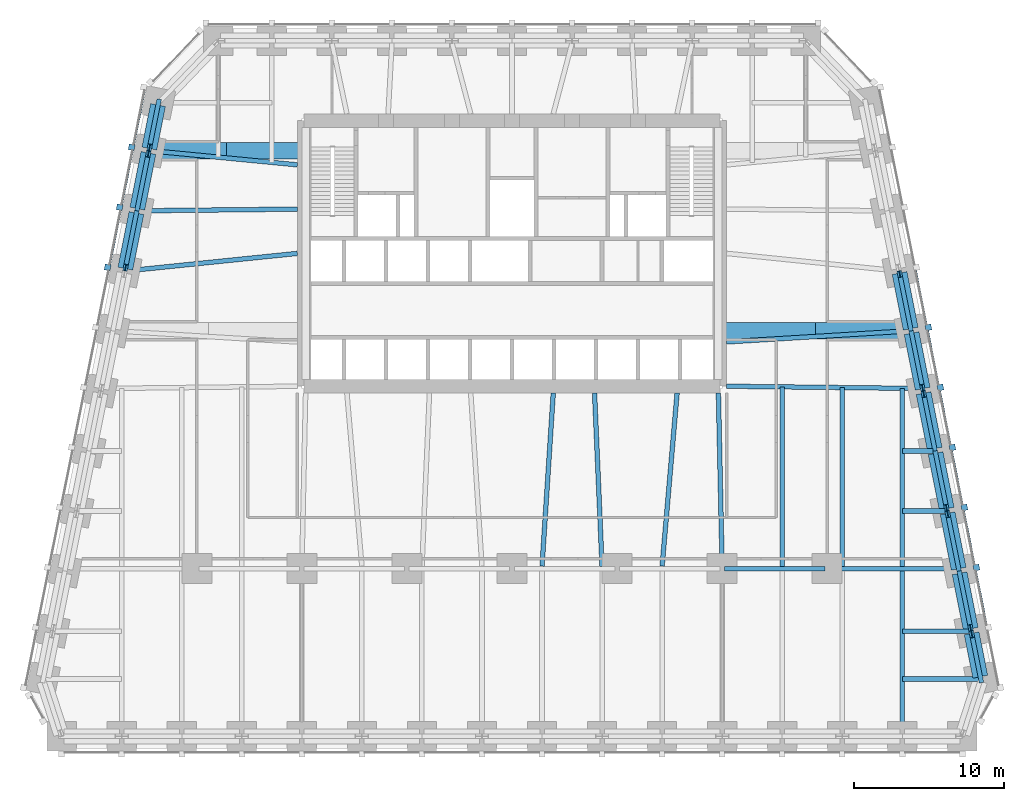
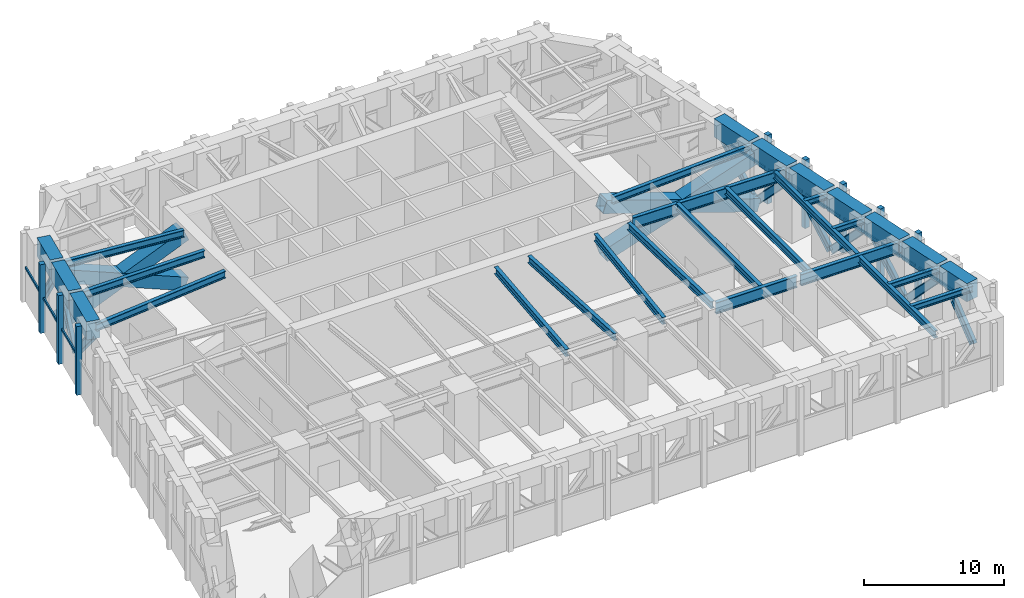
# One storey, part 3 of 9: 31 members, 29 beams, 2 elements without a shape of their own.
"""IFC4 building model written with IfcOpenShell, lengths in metres."""

from ifc_helpers import new_model, si_unit, direction, frame, origin, origin_2d, place, context, subcontext, project, spatial, rectangle, hollow_rectangle, i_section, extrude, material, material_profile, profile_set, type_object, element, aggregate, save


model = new_model("IFC4")

# Units and contexts
model_context = context("Model", 3, precision=1e-05, world=origin(), true_north=direction((0.0, 1.0)))
body_context = subcontext(model_context, "Body", "Model", "MODEL_VIEW")
ifc_project = project(units=[si_unit("LENGTHUNIT", "METRE"), si_unit("AREAUNIT", "SQUARE_METRE"), si_unit("VOLUMEUNIT", "CUBIC_METRE"), si_unit("PLANEANGLEUNIT", "RADIAN"), si_unit("MASSUNIT", "GRAM", prefix="KILO")], contexts=[model_context])

# Site, building, storey
site_placement = place(None, origin())
site = spatial("IfcSite", under=ifc_project, at=site_placement, CompositionType="ELEMENT")
building_placement = place(site_placement, origin())
building = spatial("IfcBuilding", under=site, at=building_placement, Name="Isbrekke Arena Tower", CompositionType="ELEMENT")
storey_placement = place(building_placement, frame((0.0, 0.0, 92.0)))
storey = spatial("IfcBuildingStorey", under=building, at=storey_placement, Name="L20", CompositionType="ELEMENT", Elevation=92.0)

# Beams
ifc_material_1 = material(Name="Steel S355", Category="steel")
ifc_material_profile_1 = material_profile(ifc_material_1, i_section(OverallWidth=0.304931640625, OverallDepth=0.6201171875, WebThickness=0.02099609375, FlangeThickness=0.0400390625, FilletRadius=0.027099609375, at=origin_2d()), Name="HEM 600")
ifc_profile_set_1 = profile_set([ifc_material_profile_1], Name="Steel S355")
beam_type_1 = type_object("IfcBeamType", Name="B4 HEM 600", PredefinedType="BEAM", material=ifc_profile_set_1)
beam_1_placement = place(storey_placement, frame((26.0, -17.02490234375, 5.489990234375), z_axis=(0.0, 1.0, 0.0), x_axis=(-1.0, 0.0, 0.0)))
element("IfcBeam", 1, at=beam_1_placement, inside=storey, type_object=beam_type_1, Name="B4 beam S-S15 L20", PredefinedType="BEAM", context=body_context, shape_type="SweptSolid", body=[
    extrude(i_section(OverallWidth=0.304931640625, OverallDepth=0.6201171875, WebThickness=0.02099609375, FlangeThickness=0.0400390625, FilletRadius=0.027099609375, at=origin_2d()), origin(), (0.0, 0.0, 1.0), 10.8740234375),
])
beam_2_placement = place(storey_placement, frame((2.000732421875, -5.839111328125, 5.489990234375), z_axis=(0.064796683644, 0.997898486715, 0.0), x_axis=(-0.997898486715, 0.064796683644, 0.0)))
element("IfcBeam", 2, at=beam_2_placement, inside=storey, type_object=beam_type_1, Name="B4 beam C-M08 L20", PredefinedType="BEAM", context=body_context, shape_type="SweptSolid", body=[
    extrude(i_section(OverallWidth=0.304931640625, OverallDepth=0.6201171875, WebThickness=0.02099609375, FlangeThickness=0.0400390625, FilletRadius=0.027099609375, at=origin_2d()), origin(), (0.0, 0.0, 1.0), 11.5634765625),
])
beam_3_placement = place(storey_placement, frame((5.999755859375, -5.842529296875, 5.489990234375), z_axis=(-0.04325656756, 0.99906399663, 0.0), x_axis=(-0.99906399663, -0.04325656756, 0.0)))
element("IfcBeam", 3, at=beam_3_placement, inside=storey, type_object=beam_type_1, Name="B4 beam C-M09 L20", PredefinedType="BEAM", context=body_context, shape_type="SweptSolid", body=[
    extrude(i_section(OverallWidth=0.304931640625, OverallDepth=0.6201171875, WebThickness=0.02099609375, FlangeThickness=0.0400390625, FilletRadius=0.027099609375, at=origin_2d()), origin(), (0.0, 0.0, 1.0), 11.55322265625),
])
beam_4_placement = place(storey_placement, frame((10.001220703125, -5.8359375, 5.489990234375), z_axis=(0.086257483273, 0.996272877569, 0.0), x_axis=(-0.996272877569, 0.086257483273, 0.0)))
element("IfcBeam", 4, at=beam_4_placement, inside=storey, type_object=beam_type_1, Name="B4 beam C-M10 L20", PredefinedType="BEAM", context=body_context, shape_type="SweptSolid", body=[
    extrude(i_section(OverallWidth=0.304931640625, OverallDepth=0.6201171875, WebThickness=0.02099609375, FlangeThickness=0.0400390625, FilletRadius=0.027099609375, at=origin_2d()), origin(), (0.0, 0.0, 1.0), 11.5791015625),
])
beam_5_placement = place(storey_placement, frame((14.0, -5.8466796875, 5.489990234375), z_axis=(-0.021646264273, 0.999765692171, 0.0), x_axis=(-0.999765692171, -0.021646264273, 0.0)))
element("IfcBeam", 5, at=beam_5_placement, inside=storey, type_object=beam_type_1, Name="B4 beam C-M11 L20", PredefinedType="BEAM", context=body_context, shape_type="SweptSolid", body=[
    extrude(i_section(OverallWidth=0.304931640625, OverallDepth=0.6201171875, WebThickness=0.02099609375, FlangeThickness=0.0400390625, FilletRadius=0.027099609375, at=origin_2d()), origin(), (0.0, 0.0, 1.0), 11.54931640625),
])
beam_6_placement = place(storey_placement, frame((18.0, -5.84912109375, 5.489990234375), z_axis=(0.0, 1.0, 0.0), x_axis=(-1.0, 0.0, 0.0)))
element("IfcBeam", 6, at=beam_6_placement, inside=storey, type_object=beam_type_1, Name="B4 beam C-M12 L20", PredefinedType="BEAM", context=body_context, shape_type="SweptSolid", body=[
    extrude(i_section(OverallWidth=0.304931640625, OverallDepth=0.6201171875, WebThickness=0.02099609375, FlangeThickness=0.0400390625, FilletRadius=0.027099609375, at=origin_2d()), origin(), (0.0, 0.0, 1.0), 11.956787109375),
])
beam_7_placement = place(storey_placement, frame((22.0, -5.84912109375, 5.489990234375), z_axis=(0.0, 1.0, 0.0), x_axis=(-1.0, 0.0, 0.0)))
element("IfcBeam", 7, at=beam_7_placement, inside=storey, type_object=beam_type_1, Name="B4 beam C-M13 L20", PredefinedType="BEAM", context=body_context, shape_type="SweptSolid", body=[
    extrude(i_section(OverallWidth=0.304931640625, OverallDepth=0.6201171875, WebThickness=0.02099609375, FlangeThickness=0.0400390625, FilletRadius=0.027099609375, at=origin_2d()), origin(), (0.0, 0.0, 1.0), 11.910888671875),
])
beam_8_placement = place(storey_placement, frame((26.0, -5.84912109375, 5.489990234375), z_axis=(0.0, 1.0, 0.0), x_axis=(-1.0, 0.0, 0.0)))
element("IfcBeam", 8, at=beam_8_placement, inside=storey, type_object=beam_type_1, Name="B4 beam C-M14 L20", PredefinedType="BEAM", context=body_context, shape_type="SweptSolid", body=[
    extrude(i_section(OverallWidth=0.304931640625, OverallDepth=0.6201171875, WebThickness=0.02099609375, FlangeThickness=0.0400390625, FilletRadius=0.027099609375, at=origin_2d()), origin(), (0.0, 0.0, 1.0), 11.864990234375),
])
beam_9_placement = place(storey_placement, frame((26.431884765625, 9.837646484375, 5.489990234375), z_axis=(-0.998157121592, -0.060682457223, 0.0), x_axis=(0.060682457223, -0.998157121592, 0.0)))
element("IfcBeam", 9, at=beam_9_placement, inside=storey, type_object=beam_type_1, Name="B4 beam E-E07 L20", PredefinedType="BEAM", context=body_context, shape_type="SweptSolid", body=[
    extrude(i_section(OverallWidth=0.304931640625, OverallDepth=0.6201171875, WebThickness=0.02099609375, FlangeThickness=0.0400390625, FilletRadius=0.027099609375, at=origin_2d()), origin(), (0.0, 0.0, 1.0), 12.154296875),
])
beam_10_placement = place(storey_placement, frame((-24.0263671875, 21.8369140625, 5.489990234375), z_axis=(0.995391571349, -0.095893793791, 0.0), x_axis=(0.095893793791, 0.995391571349, 0.0)))
element("IfcBeam", 10, at=beam_10_placement, inside=storey, type_object=beam_type_1, Name="B4 beam E-W02 L20", PredefinedType="BEAM", context=body_context, shape_type="SweptSolid", body=[
    extrude(i_section(OverallWidth=0.304931640625, OverallDepth=0.6201171875, WebThickness=0.02099609375, FlangeThickness=0.0400390625, FilletRadius=0.027099609375, at=origin_2d()), origin(), (0.0, 0.0, 1.0), 9.771240234375),
])
beam_11_placement = place(storey_placement, frame((-24.83935546875, 17.838134765625, 5.489990234375), z_axis=(0.999943724376, 0.010608868071, 0.0), x_axis=(-0.010608868071, 0.999943724376, 0.0)))
element("IfcBeam", 11, at=beam_11_placement, inside=storey, type_object=beam_type_1, Name="B4 beam E-W03 L20", PredefinedType="BEAM", context=body_context, shape_type="SweptSolid", body=[
    extrude(i_section(OverallWidth=0.304931640625, OverallDepth=0.6201171875, WebThickness=0.02099609375, FlangeThickness=0.0400390625, FilletRadius=0.027099609375, at=origin_2d()), origin(), (0.0, 0.0, 1.0), 10.539794921875),
])
beam_12_placement = place(storey_placement, frame((-25.62548828125, 13.83984375, 5.489990234375), z_axis=(0.99479415533, 0.10190480127, 0.0), x_axis=(-0.10190480127, 0.99479415533, 0.0)))
element("IfcBeam", 12, at=beam_12_placement, inside=storey, type_object=beam_type_1, Name="B4 beam E-W04 L20", PredefinedType="BEAM", context=body_context, shape_type="SweptSolid", body=[
    extrude(i_section(OverallWidth=0.304931640625, OverallDepth=0.6201171875, WebThickness=0.02099609375, FlangeThickness=0.0400390625, FilletRadius=0.027099609375, at=origin_2d()), origin(), (0.0, 0.0, 1.0), 11.384765625),
])
ifc_material_2 = material(Name="Steel S355", Category="steel")
ifc_material_profile_2 = material_profile(ifc_material_2, i_section(OverallWidth=0.305908203125, OverallDepth=0.52392578125, WebThickness=0.02099609375, FlangeThickness=0.0400390625, FilletRadius=0.027099609375, at=origin_2d()), Name="HEM 500")
ifc_profile_set_2 = profile_set([ifc_material_profile_2], Name="Steel S355")
beam_type_2 = type_object("IfcBeamType", Name="B5 HEM 500", PredefinedType="BEAM", material=ifc_profile_set_2)
beam_13_placement = place(storey_placement, frame((31.079345703125, -13.352783203125, 5.5380859375), z_axis=(-1.0, 0.0, 0.0), x_axis=(0.0, -1.0, 0.0)))
element("IfcBeam", 13, at=beam_13_placement, inside=storey, type_object=beam_type_2, Name="B5 beam E-E01 L20", PredefinedType="BEAM", context=body_context, shape_type="SweptSolid", body=[
    extrude(i_section(OverallWidth=0.305908203125, OverallDepth=0.52392578125, WebThickness=0.02099609375, FlangeThickness=0.0400390625, FilletRadius=0.027099609375, at=origin_2d()), origin(), (0.0, 0.0, 1.0), 5.079345703125),
])
beam_14_placement = place(storey_placement, frame((30.44091796875, -10.161865234375, 5.5380859375), z_axis=(-1.0, 0.0, 0.0), x_axis=(0.0, -1.0, 0.0)))
element("IfcBeam", 14, at=beam_14_placement, inside=storey, type_object=beam_type_2, Name="B5 beam E-E02 L20", PredefinedType="BEAM", context=body_context, shape_type="SweptSolid", body=[
    extrude(i_section(OverallWidth=0.305908203125, OverallDepth=0.52392578125, WebThickness=0.02099609375, FlangeThickness=0.0400390625, FilletRadius=0.027099609375, at=origin_2d()), origin(), (0.0, 0.0, 1.0), 4.44091796875),
])
beam_15_placement = place(storey_placement, frame((28.841064453125, -2.161865234375, 5.5380859375), z_axis=(-1.0, 0.0, 0.0), x_axis=(0.0, -1.0, 0.0)))
element("IfcBeam", 15, at=beam_15_placement, inside=storey, type_object=beam_type_2, Name="B5 beam E-E04 L20", PredefinedType="BEAM", context=body_context, shape_type="SweptSolid", body=[
    extrude(i_section(OverallWidth=0.305908203125, OverallDepth=0.52392578125, WebThickness=0.02099609375, FlangeThickness=0.0400390625, FilletRadius=0.027099609375, at=origin_2d()), origin(), (0.0, 0.0, 1.0), 2.841064453125),
])
beam_16_placement = place(storey_placement, frame((28.041015625, 1.838134765625, 5.5380859375), z_axis=(-1.0, 0.0, 0.0), x_axis=(0.0, -1.0, 0.0)))
element("IfcBeam", 16, at=beam_16_placement, inside=storey, type_object=beam_type_2, Name="B5 beam E-E05 L20", PredefinedType="BEAM", context=body_context, shape_type="SweptSolid", body=[
    extrude(i_section(OverallWidth=0.305908203125, OverallDepth=0.52392578125, WebThickness=0.02099609375, FlangeThickness=0.0400390625, FilletRadius=0.027099609375, at=origin_2d()), origin(), (0.0, 0.0, 1.0), 2.041015625),
])

# Members
ifc_material_3 = material(Name="Steel S355", Category="steel")
ifc_material_profile_3 = material_profile(ifc_material_3, i_section(OverallWidth=0.304931640625, OverallDepth=0.6201171875, WebThickness=0.02099609375, FlangeThickness=0.0400390625, FilletRadius=0.027099609375, at=origin_2d()), Name="HEM 600")
ifc_profile_set_3 = profile_set([ifc_material_profile_3], Name="Steel S355")
member_type_1 = type_object("IfcMemberType", Name="BT1 HEM 600", PredefinedType="BRACE", material=ifc_profile_set_3)
member_1_placement = place(storey_placement, frame((31.229248046875, -13.352783203125, 0.60009765625), z_axis=(-0.118346606157, 0.591733030783, 0.79739958684), x_axis=(-0.980580675691, -0.196116135138, 0.0)))
element("IfcMember", 17, at=member_1_placement, inside=storey, type_object=member_type_1, Name="BT1 belt truss diagonal E01 L20", PredefinedType="BRACE", context=body_context, shape_type="SweptSolid", body=[
    extrude(i_section(OverallWidth=0.304931640625, OverallDepth=0.6201171875, WebThickness=0.02099609375, FlangeThickness=0.0400390625, FilletRadius=0.027099609375, at=origin_2d()), origin(), (0.0, 0.0, 1.0), 5.0439453125),
])
for number, where, z_axis, x_axis, name in (
    (18, (30.548095703125, -9.947265625, 4.66943359375), (-0.134973713861, 0.674868569303, -0.725489152734), (-0.980580675691, -0.196116135138, 0.0), "BT1 belt truss diagonal E02 L20"),
    (19, (29.791015625, -6.161865234375, 0.60009765625), (-0.134973713861, 0.674868569303, 0.725489152734), (-0.980580675691, -0.196116135138, 0.0), "BT1 belt truss diagonal E03 L20"),
    (20, (28.947998046875, -1.947265625, 4.66943359375), (-0.134973713861, 0.674868569303, -0.725489152734), (-0.980580675691, -0.196116135138, 0.0), "BT1 belt truss diagonal E04 L20"),
    (21, (28.19091796875, 1.838134765625, 0.60009765625), (-0.134973713861, 0.674868569303, 0.725489152734), (-0.980580675691, -0.196116135138, 0.0), "BT1 belt truss diagonal E05 L20"),
    (22, (27.34814453125, 6.052734375, 4.66943359375), (-0.134973713861, 0.674868569303, -0.725489152734), (-0.980580675691, -0.196116135138, 0.0), "BT1 belt truss diagonal E06 L20"),
    (23, (26.591064453125, 9.838134765625, 0.60009765625), (-0.134973713861, 0.674868569303, 0.725489152734), (-0.980580675691, -0.196116135138, 0.0), "BT1 belt truss diagonal E07 L20"),
):
    element("IfcMember", number, at=place(storey_placement, frame(where, z_axis=z_axis, x_axis=x_axis)), inside=storey, type_object=member_type_1, Name=name, PredefinedType="BRACE", context=body_context, shape_type="SweptSolid", body=[
        extrude(i_section(OverallWidth=0.304931640625, OverallDepth=0.6201171875, WebThickness=0.02099609375, FlangeThickness=0.0400390625, FilletRadius=0.027099609375, at=origin_2d()), origin(), (0.0, 0.0, 1.0), 5.609130859375),
    ])
member_2_placement = place(storey_placement, frame((-23.552734375, 25.029296875, 0.60009765625), z_axis=(-0.118343216485, -0.591764484557, 0.797376747798), x_axis=(0.980583760369, -0.196100711116, 0.0)))
element("IfcMember", 24, at=member_2_placement, inside=storey, type_object=member_type_1, Name="BT1 belt truss diagonal W01 L20", PredefinedType="BRACE", context=body_context, shape_type="SweptSolid", body=[
    extrude(i_section(OverallWidth=0.304931640625, OverallDepth=0.6201171875, WebThickness=0.02099609375, FlangeThickness=0.0400390625, FilletRadius=0.027099609375, at=origin_2d()), origin(), (0.0, 0.0, 1.0), 5.0439453125),
])
for number, where, z_axis, x_axis, name in (
    (25, (-24.23388671875, 21.62353515625, 4.66943359375), (-0.134973713861, -0.674868569303, -0.725489152734), (0.980580675691, -0.196116135138, 0.0), "BT1 belt truss diagonal W02 L20"),
    (26, (-24.990966796875, 17.838134765625, 0.60009765625), (-0.134973713861, -0.674868569303, 0.725489152734), (0.980580675691, -0.196116135138, 0.0), "BT1 belt truss diagonal W03 L20"),
):
    element("IfcMember", number, at=place(storey_placement, frame(where, z_axis=z_axis, x_axis=x_axis)), inside=storey, type_object=member_type_1, Name=name, PredefinedType="BRACE", context=body_context, shape_type="SweptSolid", body=[
        extrude(i_section(OverallWidth=0.304931640625, OverallDepth=0.6201171875, WebThickness=0.02099609375, FlangeThickness=0.0400390625, FilletRadius=0.027099609375, at=origin_2d()), origin(), (0.0, 0.0, 1.0), 5.609130859375),
    ])

# Curtain wall, members
ifc_material_4 = material(Name="Glazed aluminium curtain wall", Category="aluminium")
curtain_wall_type = type_object("IfcCurtainWallType", Name="CWR PLANT LOUVRE WALL", PredefinedType="USERDEFINED", material=ifc_material_4)
curtain_wall_1_placement = place(storey_placement, origin())
curtain_wall_1 = element("IfcCurtainWall", 27, at=curtain_wall_1_placement, inside=storey, type_object=curtain_wall_type, Name="CWR curtain wall L20-E", ObjectType="PLANT LOUVRE WALL", PredefinedType="USERDEFINED")
ifc_material_5 = material(Name="Aluminium mullion, pale brick slip cladding", Category="masonry")
ifc_material_profile_4 = material_profile(ifc_material_5, rectangle(XDim=0.39990234375, YDim=0.39990234375, at=origin_2d()), Name="PIER 400X400")
ifc_profile_set_4 = profile_set([ifc_material_profile_4], Name="Aluminium mullion, pale brick slip cladding")
member_type_2 = type_object("IfcMemberType", Name="CWR-M PIER MULLION 400 x 400", PredefinedType="MULLION", material=ifc_profile_set_4)
member_3_placement = place(storey_placement, frame((30.943115234375, -5.931396484375, 0.0), z_axis=(0.0, 0.0, 1.0), x_axis=(-0.196116135138, 0.980580675691, 0.0)))
member_3 = element("IfcMember", 28, at=member_3_placement, type_object=member_type_2, Name="CWR-M mullion 3", PredefinedType="MULLION", context=body_context, shape_type="SweptSolid", body=[
    extrude(rectangle(XDim=0.39990234375, YDim=0.39990234375, at=origin_2d()), origin(), (0.0, 0.0, 1.0), 6.0),
])
member_4_placement = place(storey_placement, frame((30.143310546875, -1.931396484375, 0.0), z_axis=(0.0, 0.0, 1.0), x_axis=(-0.196116135138, 0.980580675691, 0.0)))
member_4 = element("IfcMember", 29, at=member_4_placement, type_object=member_type_2, Name="CWR-M mullion 4", PredefinedType="MULLION", context=body_context, shape_type="SweptSolid", body=[
    extrude(rectangle(XDim=0.39990234375, YDim=0.39990234375, at=origin_2d()), origin(), (0.0, 0.0, 1.0), 6.0),
])
member_5_placement = place(storey_placement, frame((29.34326171875, 2.068603515625, 0.0), z_axis=(0.0, 0.0, 1.0), x_axis=(-0.196116135138, 0.980580675691, 0.0)))
member_5 = element("IfcMember", 30, at=member_5_placement, type_object=member_type_2, Name="CWR-M mullion 5", PredefinedType="MULLION", context=body_context, shape_type="SweptSolid", body=[
    extrude(rectangle(XDim=0.39990234375, YDim=0.39990234375, at=origin_2d()), origin(), (0.0, 0.0, 1.0), 6.0),
])
member_6_placement = place(storey_placement, frame((28.543212890625, 6.068603515625, 0.0), z_axis=(0.0, 0.0, 1.0), x_axis=(-0.196116135138, 0.980580675691, 0.0)))
member_6 = element("IfcMember", 31, at=member_6_placement, type_object=member_type_2, Name="CWR-M mullion 6", PredefinedType="MULLION", context=body_context, shape_type="SweptSolid", body=[
    extrude(rectangle(XDim=0.39990234375, YDim=0.39990234375, at=origin_2d()), origin(), (0.0, 0.0, 1.0), 6.0),
])
member_7_placement = place(storey_placement, frame((27.7431640625, 10.068603515625, 0.0), z_axis=(0.0, 0.0, 1.0), x_axis=(-0.196116135138, 0.980580675691, 0.0)))
member_7 = element("IfcMember", 32, at=member_7_placement, type_object=member_type_2, Name="CWR-M mullion 7", PredefinedType="MULLION", context=body_context, shape_type="SweptSolid", body=[
    extrude(rectangle(XDim=0.39990234375, YDim=0.39990234375, at=origin_2d()), origin(), (0.0, 0.0, 1.0), 6.0),
])

curtain_wall_2_placement = place(storey_placement, origin())
curtain_wall_2 = element("IfcCurtainWall", 33, at=curtain_wall_2_placement, inside=storey, type_object=curtain_wall_type, Name="CWR curtain wall L20-W", ObjectType="PLANT LOUVRE WALL", PredefinedType="USERDEFINED")
member_8_placement = place(storey_placement, frame((-25.34326171875, 22.068603515625, 0.0), z_axis=(0.0, 0.0, 1.0), x_axis=(-0.196116135138, -0.980580675691, 0.0)))
member_8 = element("IfcMember", 34, at=member_8_placement, type_object=member_type_2, Name="CWR-M mullion 2", PredefinedType="MULLION", context=body_context, shape_type="SweptSolid", body=[
    extrude(rectangle(XDim=0.39990234375, YDim=0.39990234375, at=origin_2d()), origin(), (0.0, 0.0, 1.0), 6.0),
])
member_9_placement = place(storey_placement, frame((-26.143310546875, 18.068603515625, 0.0), z_axis=(0.0, 0.0, 1.0), x_axis=(-0.196116135138, -0.980580675691, 0.0)))
member_9 = element("IfcMember", 35, at=member_9_placement, type_object=member_type_2, Name="CWR-M mullion 3", PredefinedType="MULLION", context=body_context, shape_type="SweptSolid", body=[
    extrude(rectangle(XDim=0.39990234375, YDim=0.39990234375, at=origin_2d()), origin(), (0.0, 0.0, 1.0), 6.0),
])
member_10_placement = place(storey_placement, frame((-26.943115234375, 14.068603515625, 0.0), z_axis=(0.0, 0.0, 1.0), x_axis=(-0.196116135138, -0.980580675691, 0.0)))
member_10 = element("IfcMember", 36, at=member_10_placement, type_object=member_type_2, Name="CWR-M mullion 4", PredefinedType="MULLION", context=body_context, shape_type="SweptSolid", body=[
    extrude(rectangle(XDim=0.39990234375, YDim=0.39990234375, at=origin_2d()), origin(), (0.0, 0.0, 1.0), 6.0),
])

# Member
ifc_material_6 = material(Name="Aluminium transom", Category="aluminium")
ifc_material_profile_5 = material_profile(ifc_material_6, rectangle(XDim=0.1201171875, YDim=0.199951171875, at=origin_2d()), Name="TRANSOM 120X200")
ifc_profile_set_5 = profile_set([ifc_material_profile_5], Name="Aluminium transom")
member_type_3 = type_object("IfcMemberType", Name="CWR-T TRANSOM 120 x 200", PredefinedType="USERDEFINED", material=ifc_profile_set_5)
member_11_placement = place(storey_placement, frame((31.60595703125, -9.7548828125, 3.0), z_axis=(-0.196141655741, 0.980575571225, 0.0), x_axis=(-0.980575571225, -0.196141655741, 0.0)))
member_11 = element("IfcMember", 37, at=member_11_placement, type_object=member_type_3, Name="CWR-T transom 2", ObjectType="TRANSOM", PredefinedType="USERDEFINED", context=body_context, shape_type="SweptSolid", body=[
    extrude(rectangle(XDim=0.1201171875, YDim=0.199951171875, at=origin_2d()), origin(), (0.0, 0.0, 1.0), 3.679443359375),
])

member_12_placement = place(storey_placement, frame((30.805908203125, -5.7548828125, 3.0), z_axis=(-0.196077853487, 0.980588331244, 0.0), x_axis=(-0.980588331244, -0.196077853487, 0.0)))
member_12 = element("IfcMember", 38, at=member_12_placement, type_object=member_type_3, Name="CWR-T transom 3", ObjectType="TRANSOM", PredefinedType="USERDEFINED", context=body_context, shape_type="SweptSolid", body=[
    extrude(rectangle(XDim=0.1201171875, YDim=0.199951171875, at=origin_2d()), origin(), (0.0, 0.0, 1.0), 3.679443359375),
])

member_13_placement = place(storey_placement, frame((30.005859375, -1.7548828125, 3.0), z_axis=(-0.196077853487, 0.980588331244, 0.0), x_axis=(-0.980588331244, -0.196077853487, 0.0)))
member_13 = element("IfcMember", 39, at=member_13_placement, type_object=member_type_3, Name="CWR-T transom 4", ObjectType="TRANSOM", PredefinedType="USERDEFINED", context=body_context, shape_type="SweptSolid", body=[
    extrude(rectangle(XDim=0.1201171875, YDim=0.199951171875, at=origin_2d()), origin(), (0.0, 0.0, 1.0), 3.679443359375),
])

member_14_placement = place(storey_placement, frame((29.205810546875, 2.2451171875, 3.0), z_axis=(-0.196077853487, 0.980588331244, 0.0), x_axis=(-0.980588331244, -0.196077853487, 0.0)))
member_14 = element("IfcMember", 40, at=member_14_placement, type_object=member_type_3, Name="CWR-T transom 5", ObjectType="TRANSOM", PredefinedType="USERDEFINED", context=body_context, shape_type="SweptSolid", body=[
    extrude(rectangle(XDim=0.1201171875, YDim=0.199951171875, at=origin_2d()), origin(), (0.0, 0.0, 1.0), 3.679443359375),
])

member_15_placement = place(storey_placement, frame((28.406005859375, 6.2451171875, 3.0), z_axis=(-0.196141655741, 0.980575571225, 0.0), x_axis=(-0.980575571225, -0.196141655741, 0.0)))
member_15 = element("IfcMember", 41, at=member_15_placement, type_object=member_type_3, Name="CWR-T transom 6", ObjectType="TRANSOM", PredefinedType="USERDEFINED", context=body_context, shape_type="SweptSolid", body=[
    extrude(rectangle(XDim=0.1201171875, YDim=0.199951171875, at=origin_2d()), origin(), (0.0, 0.0, 1.0), 3.679443359375),
])

member_16_placement = place(storey_placement, frame((27.60595703125, 10.2451171875, 3.0), z_axis=(-0.196141655741, 0.980575571225, 0.0), x_axis=(-0.980575571225, -0.196141655741, 0.0)))
member_16 = element("IfcMember", 42, at=member_16_placement, type_object=member_type_3, Name="CWR-T transom 7", ObjectType="TRANSOM", PredefinedType="USERDEFINED", context=body_context, shape_type="SweptSolid", body=[
    extrude(rectangle(XDim=0.1201171875, YDim=0.199951171875, at=origin_2d()), origin(), (0.0, 0.0, 1.0), 3.679443359375),
])

aggregate(curtain_wall_1, [member_3, member_4, member_5, member_6, member_7, member_11, member_12, member_13, member_14, member_15, member_16])

member_17_placement = place(storey_placement, frame((-24.484375, 25.85302734375, 3.0), z_axis=(-0.196077853487, -0.980588331244, 0.0), x_axis=(0.980588331244, -0.196077853487, 0.0)))
member_17 = element("IfcMember", 43, at=member_17_placement, type_object=member_type_3, Name="CWR-T transom 1", ObjectType="TRANSOM", PredefinedType="USERDEFINED", context=body_context, shape_type="SweptSolid", body=[
    extrude(rectangle(XDim=0.1201171875, YDim=0.199951171875, at=origin_2d()), origin(), (0.0, 0.0, 1.0), 3.679443359375),
])

member_18_placement = place(storey_placement, frame((-25.284423828125, 21.85302734375, 3.0), z_axis=(-0.196077853487, -0.980588331244, 0.0), x_axis=(0.980588331244, -0.196077853487, 0.0)))
member_18 = element("IfcMember", 44, at=member_18_placement, type_object=member_type_3, Name="CWR-T transom 2", ObjectType="TRANSOM", PredefinedType="USERDEFINED", context=body_context, shape_type="SweptSolid", body=[
    extrude(rectangle(XDim=0.1201171875, YDim=0.199951171875, at=origin_2d()), origin(), (0.0, 0.0, 1.0), 3.679443359375),
])

member_19_placement = place(storey_placement, frame((-26.08447265625, 17.85302734375, 3.0), z_axis=(-0.196077853487, -0.980588331244, 0.0), x_axis=(0.980588331244, -0.196077853487, 0.0)))
member_19 = element("IfcMember", 45, at=member_19_placement, type_object=member_type_3, Name="CWR-T transom 3", ObjectType="TRANSOM", PredefinedType="USERDEFINED", context=body_context, shape_type="SweptSolid", body=[
    extrude(rectangle(XDim=0.1201171875, YDim=0.199951171875, at=origin_2d()), origin(), (0.0, 0.0, 1.0), 3.679443359375),
])

aggregate(curtain_wall_2, [member_8, member_9, member_10, member_17, member_18, member_19])

# Beams
ifc_material_7 = material(Name="Steel S355", Category="steel")
ifc_material_profile_6 = material_profile(ifc_material_7, i_section(OverallWidth=0.302001953125, OverallDepth=1.008056640625, WebThickness=0.02099609375, FlangeThickness=0.0400390625, FilletRadius=0.030029296875, at=origin_2d()), Name="HEM 1000")
ifc_profile_set_6 = profile_set([ifc_material_profile_6], Name="Steel S355")
beam_type_3 = type_object("IfcBeamType", Name="G1 HEM 1000", PredefinedType="BEAM", material=ifc_profile_set_6)
beam_17_placement = place(storey_placement, frame((14.14990234375, -6.0, 5.2958984375), z_axis=(1.0, 0.0, 0.0), x_axis=(0.0, 1.0, 0.0)))
element("IfcBeam", 46, at=beam_17_placement, inside=storey, type_object=beam_type_3, Name="G1 beam G1-07 L20", PredefinedType="BEAM", context=body_context, shape_type="SweptSolid", body=[
    extrude(i_section(OverallWidth=0.302001953125, OverallDepth=1.008056640625, WebThickness=0.02099609375, FlangeThickness=0.0400390625, FilletRadius=0.030029296875, at=origin_2d()), origin(), (0.0, 0.0, 1.0), 6.7001953125),
])
beam_18_placement = place(storey_placement, frame((21.14990234375, -6.0, 5.2958984375), z_axis=(1.0, 0.0, 0.0), x_axis=(0.0, 1.0, 0.0)))
element("IfcBeam", 47, at=beam_18_placement, inside=storey, type_object=beam_type_3, Name="G1 beam G1-08 L20", PredefinedType="BEAM", context=body_context, shape_type="SweptSolid", body=[
    extrude(i_section(OverallWidth=0.302001953125, OverallDepth=1.008056640625, WebThickness=0.02099609375, FlangeThickness=0.0400390625, FilletRadius=0.030029296875, at=origin_2d()), origin(), (0.0, 0.0, 1.0), 8.64111328125),
])
ifc_material_8 = material(Name="Steel S355", Category="steel")
ifc_material_profile_7 = material_profile(ifc_material_8, i_section(OverallWidth=0.302001953125, OverallDepth=1.008056640625, WebThickness=0.02099609375, FlangeThickness=0.0400390625, FilletRadius=0.030029296875, at=origin_2d()), Name="HEM 1000")
ifc_profile_set_7 = profile_set([ifc_material_profile_7], Name="Steel S355")
beam_type_4 = type_object("IfcBeamType", Name="G2 HEM 1000", PredefinedType="BEAM", material=ifc_profile_set_7)
beam_19_placement = place(storey_placement, frame((14.300048828125, 6.14990234375, 5.2958984375), z_axis=(0.999934429634, -0.011451481699, 0.0), x_axis=(0.011451481699, 0.999934429634, 0.0)))
element("IfcBeam", 48, at=beam_19_placement, inside=storey, type_object=beam_type_4, Name="G2 beam G2-E L20", PredefinedType="BEAM", context=body_context, shape_type="SweptSolid", body=[
    extrude(i_section(OverallWidth=0.302001953125, OverallDepth=1.008056640625, WebThickness=0.02099609375, FlangeThickness=0.0400390625, FilletRadius=0.030029296875, at=origin_2d()), origin(), (0.0, 0.0, 1.0), 13.09033203125),
])

# Members
ifc_material_9 = material(Name="Steel S460", Category="steel")
ifc_material_profile_8 = material_profile(ifc_material_9, hollow_rectangle(XDim=1.10009765625, YDim=1.10009765625, WallThickness=0.050048828125, at=origin_2d()), Name="BOX 1100x1100x50")
ifc_profile_set_8 = profile_set([ifc_material_profile_8], Name="Steel S460")
member_type_4 = type_object("IfcMemberType", Name="OT1 BOX 1100x1100x50", PredefinedType="BRACE", material=ifc_profile_set_8)
for number, where, z_axis, x_axis, name in (
    (49, (13.85009765625, 9.838134765625, 0.60009765625), (0.947498398671, 0.0, 0.319760511189), (0.0, 1.0, 0.0), "OT1 outrigger E L20 1"),
    (50, (13.85009765625, 9.838134765625, 4.89990234375), (0.947498398671, 0.0, -0.319760511189), (0.0, 1.0, 0.0), "OT1 outrigger E L20 2"),
):
    element("IfcMember", number, at=place(storey_placement, frame(where, z_axis=z_axis, x_axis=x_axis)), inside=storey, type_object=member_type_4, Name=name, PredefinedType="BRACE", context=body_context, shape_type="SweptSolid", body=[
        extrude(hollow_rectangle(XDim=1.10009765625, YDim=1.10009765625, WallThickness=0.050048828125, at=origin_2d()), origin(), (0.0, 0.0, 1.0), 13.447021484375),
    ])
for number, where, z_axis, x_axis, name in (
    (51, (-13.85009765625, 21.838134765625, 0.60009765625), (-0.923357882569, 0.0, 0.383940386906), (0.0, -1.0, 0.0), "OT1 outrigger W L20 1"),
    (52, (-13.85009765625, 21.838134765625, 4.89990234375), (-0.923357882569, 0.0, -0.383940386906), (0.0, -1.0, 0.0), "OT1 outrigger W L20 2"),
):
    element("IfcMember", number, at=place(storey_placement, frame(where, z_axis=z_axis, x_axis=x_axis)), inside=storey, type_object=member_type_4, Name=name, PredefinedType="BRACE", context=body_context, shape_type="SweptSolid", body=[
        extrude(hollow_rectangle(XDim=1.10009765625, YDim=1.10009765625, WallThickness=0.050048828125, at=origin_2d()), origin(), (0.0, 0.0, 1.0), 11.19921875),
    ])

# Beams
ifc_material_10 = material(Name="Concrete B90 (C90/105)", Category="concrete")
ifc_material_profile_9 = material_profile(ifc_material_10, rectangle(XDim=1.0, YDim=1.60009765625, at=origin_2d()), Name="RC 1000x1600")
ifc_profile_set_9 = profile_set([ifc_material_profile_9], Name="Concrete B90 (C90/105)")
beam_type_5 = type_object("IfcBeamType", Name="SB1 RC 1000 x 1600", PredefinedType="SPANDREL", material=ifc_profile_set_9)
beam_20_placement = place(storey_placement, frame((31.19970703125, -13.205810546875, 5.199951171875), z_axis=(-0.196100243168, 0.980583853951, 0.0), x_axis=(-0.980583853951, -0.196100243168, 0.0)))
element("IfcBeam", 53, at=beam_20_placement, inside=storey, type_object=beam_type_5, Name="SB1 spandrel E01-E02 L20", PredefinedType="SPANDREL", context=body_context, shape_type="SweptSolid", body=[
    extrude(rectangle(XDim=1.0, YDim=1.60009765625, at=origin_2d()), origin(), (0.0, 0.0, 1.0), 2.954345703125),
])
beam_21_placement = place(storey_placement, frame((30.5615234375, -10.0146484375, 5.199951171875), z_axis=(-0.1960664412, 0.980590613169, 0.0), x_axis=(-0.980590613169, -0.1960664412, 0.0)))
element("IfcBeam", 54, at=beam_21_placement, inside=storey, type_object=beam_type_5, Name="SB1 spandrel E02-E03 L20", PredefinedType="SPANDREL", context=body_context, shape_type="SweptSolid", body=[
    extrude(rectangle(XDim=1.0, YDim=1.60009765625, at=origin_2d()), origin(), (0.0, 0.0, 1.0), 3.779052734375),
])
for number, where, z_axis, x_axis, name in (
    (55, (29.76171875, -6.0146484375, 5.199951171875), (-0.196128558387, 0.980578190959, 0.0), (-0.980578190959, -0.196128558387, 0.0), "SB1 spandrel E03-E04 L20"),
    (56, (28.961669921875, -2.0146484375, 5.199951171875), (-0.196128558387, 0.980578190959, 0.0), (-0.980578190959, -0.196128558387, 0.0), "SB1 spandrel E04-E05 L20"),
    (57, (28.16162109375, 1.9853515625, 5.199951171875), (-0.196128558387, 0.980578190959, 0.0), (-0.980578190959, -0.196128558387, 0.0), "SB1 spandrel E05-E06 L20"),
    (58, (27.361572265625, 5.9853515625, 5.199951171875), (-0.196128558387, 0.980578190959, 0.0), (-0.980578190959, -0.196128558387, 0.0), "SB1 spandrel E06-E07 L20"),
):
    element("IfcBeam", number, at=place(storey_placement, frame(where, z_axis=z_axis, x_axis=x_axis)), inside=storey, type_object=beam_type_5, Name=name, PredefinedType="SPANDREL", context=body_context, shape_type="SweptSolid", body=[
        extrude(rectangle(XDim=1.0, YDim=1.60009765625, at=origin_2d()), origin(), (0.0, 0.0, 1.0), 3.779296875),
    ])
beam_22_placement = place(storey_placement, frame((26.5615234375, 9.9853515625, 5.199951171875), z_axis=(-0.1960664412, 0.980590613169, 0.0), x_axis=(-0.980590613169, -0.1960664412, 0.0)))
element("IfcBeam", 59, at=beam_22_placement, inside=storey, type_object=beam_type_5, Name="SB1 spandrel E07-E08 L20", PredefinedType="SPANDREL", context=body_context, shape_type="SweptSolid", body=[
    extrude(rectangle(XDim=1.0, YDim=1.60009765625, at=origin_2d()), origin(), (0.0, 0.0, 1.0), 3.779052734375),
])
beam_23_placement = place(storey_placement, frame((-23.582275390625, 24.882080078125, 5.199951171875), z_axis=(-0.196116135138, -0.980580675691, 0.0), x_axis=(0.980580675691, -0.196116135138, 0.0)))
element("IfcBeam", 60, at=beam_23_placement, inside=storey, type_object=beam_type_5, Name="SB1 spandrel W01-W02 L20", PredefinedType="SPANDREL", context=body_context, shape_type="SweptSolid", body=[
    extrude(rectangle(XDim=1.0, YDim=1.60009765625, at=origin_2d()), origin(), (0.0, 0.0, 1.0), 2.9541015625),
])
for number, where, z_axis, x_axis, name in (
    (61, (-24.220458984375, 21.691162109375, 5.199951171875), (-0.196128558387, -0.980578190959, 0.0), (0.980578190959, -0.196128558387, 0.0), "SB1 spandrel W02-W03 L20"),
    (62, (-25.0205078125, 17.691162109375, 5.199951171875), (-0.196128558387, -0.980578190959, 0.0), (0.980578190959, -0.196128558387, 0.0), "SB1 spandrel W03-W04 L20"),
):
    element("IfcBeam", number, at=place(storey_placement, frame(where, z_axis=z_axis, x_axis=x_axis)), inside=storey, type_object=beam_type_5, Name=name, PredefinedType="SPANDREL", context=body_context, shape_type="SweptSolid", body=[
        extrude(rectangle(XDim=1.0, YDim=1.60009765625, at=origin_2d()), origin(), (0.0, 0.0, 1.0), 3.779296875),
    ])

save(model, "model.ifc")
